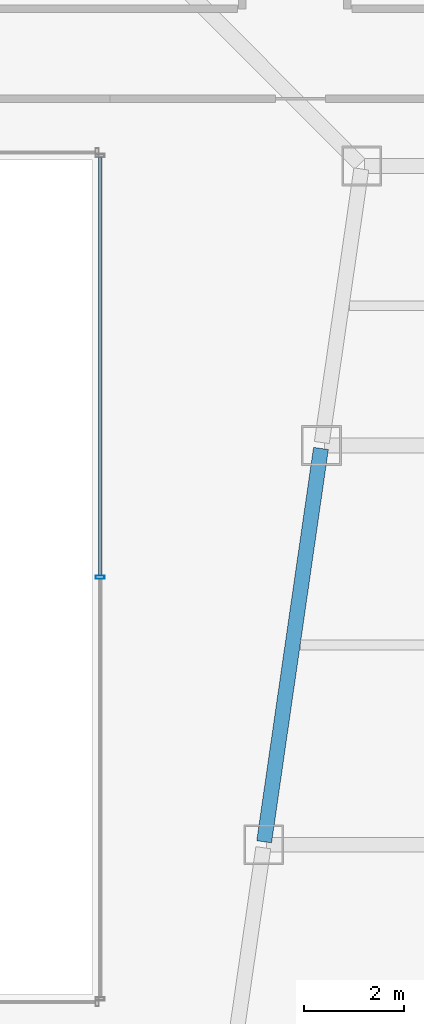
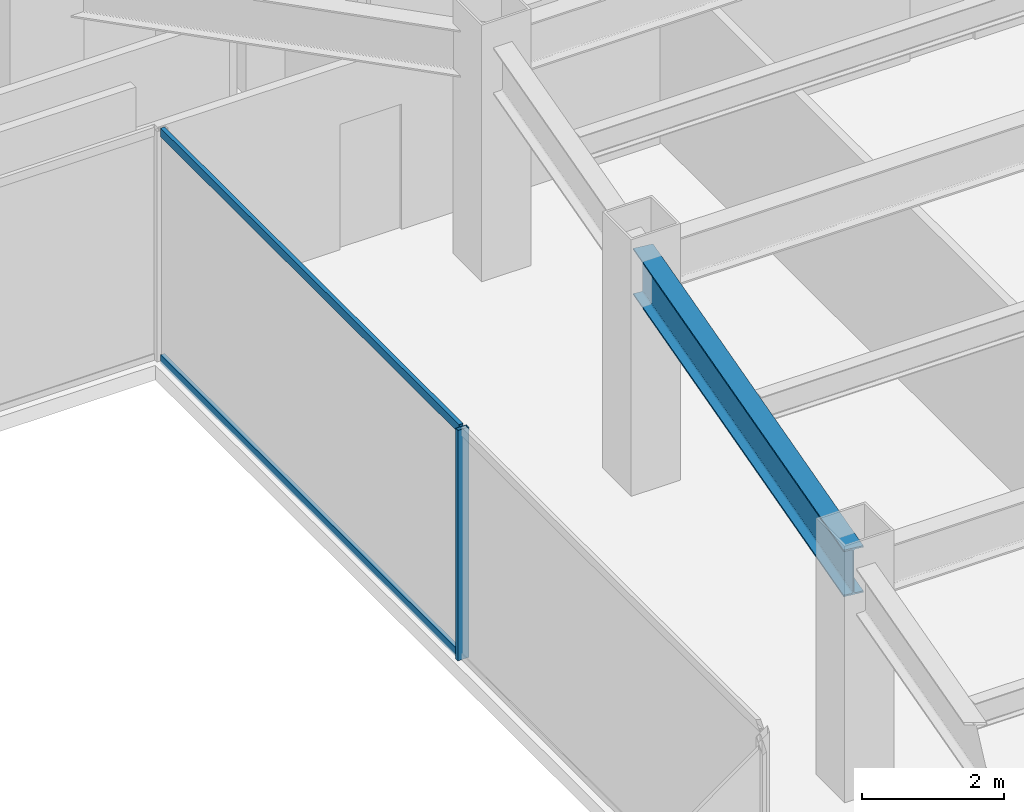
# One storey, part 20 of 47: 3 members, 1 beam, 1 element without a shape of its own.
"""IFC4 building model written with IfcOpenShell, lengths in metres."""

import ifcopenshell
import ifcopenshell.guid

model = None  # the IFC model being written
_history = None  # IfcOwnerHistory: only IFC2X3 demands one
_inside = {}  # id of a spatial element -> (the spatial element, [elements in it])
_under = {}  # id of a project, library or spatial element -> (it, [spatial elements below it])
_declared = {}  # id of a project -> (the project, [libraries it declares])
_typed = {}  # id of a type object -> (the type object, [elements of that type])
_made_of = {}  # id of a material, layer set ... -> (it, [elements and type objects made of it])


def new_model(schema):
    """Start an empty IFC model of exactly this schema.

    Asked for "IFC4X3", IfcOpenShell would pick the latest addendum, in which some entities
    have other attributes; the version numbers below select the first issue.
    IFC2X3 requires an IfcOwnerHistory on every rooted entity: one is made here for all.
    """
    global model, _history
    if schema == "IFC4X3":
        model = ifcopenshell.file(schema_version=(4, 3, 0, 0))
    else:
        model = ifcopenshell.file(schema=schema)
    _inside.clear()
    _under.clear()
    _declared.clear()
    _typed.clear()
    _made_of.clear()
    _history = None
    if model.schema == "IFC2X3":
        org = make("IfcOrganization", Name="unknown")
        user = make(
            "IfcPersonAndOrganization",
            ThePerson=make("IfcPerson", FamilyName="unknown"),
            TheOrganization=org,
        )
        app = make(
            "IfcApplication",
            ApplicationDeveloper=org,
            Version="unknown",
            ApplicationFullName="unknown",
            ApplicationIdentifier="unknown",
        )
        _history = make(
            "IfcOwnerHistory",
            OwningUser=user,
            OwningApplication=app,
            ChangeAction="ADDED",
            CreationDate=0,
        )
    return model


def make(cls, **values):
    """One entity of the class cls with the attributes given. An attribute that is None is left unset."""
    return model.create_entity(
        cls, **{name: value for name, value in values.items() if value is not None}
    )


def rooted(cls, **values):
    """An entity with a GlobalId (a new one), such as an element, a storey or a relation."""
    return make(cls, GlobalId=ifcopenshell.guid.new(), OwnerHistory=_history, **values)


def si_unit(unit_type, name, prefix=None):
    """IfcSIUnit, for example si_unit("LENGTHUNIT", "METRE", prefix="MILLI")."""
    return make("IfcSIUnit", UnitType=unit_type, Prefix=prefix, Name=name)


def assignment(units):
    """IfcUnitAssignment: the units of a project."""
    return None if units is None else make("IfcUnitAssignment", Units=units)


def point(xyz):
    """IfcCartesianPoint."""
    return None if xyz is None else make("IfcCartesianPoint", Coordinates=xyz)


def direction(xyz):
    """IfcDirection."""
    return None if xyz is None else make("IfcDirection", DirectionRatios=xyz)


def frame(location, z_axis=None, x_axis=None):
    """IfcAxis2Placement3D, a coordinate frame: its origin and axes. An axis left out is left unset."""
    return make(
        "IfcAxis2Placement3D",
        Location=point(location),
        Axis=direction(z_axis),
        RefDirection=direction(x_axis),
    )


def frame_2d(location, x_axis=None):
    """IfcAxis2Placement2D, a coordinate frame in the plane: its origin and x axis."""
    return make(
        "IfcAxis2Placement2D", Location=point(location), RefDirection=direction(x_axis)
    )


def origin():
    """The frame at (0, 0, 0) with its axes left unset."""
    return frame((0.0, 0.0, 0.0))


def origin_2d():
    """The frame at (0, 0) in the plane with its x axis left unset."""
    return frame_2d((0.0, 0.0))


def place(relative_to, where):
    """IfcLocalPlacement: puts the frame where relative to a parent placement (None: the world)."""
    return make(
        "IfcLocalPlacement", PlacementRelTo=relative_to, RelativePlacement=where
    )


def context(
    kind, dimensions, precision=None, world=None, true_north=None, identifier=None
):
    """IfcGeometricRepresentationContext, for example the 3D "Model" context."""
    return make(
        "IfcGeometricRepresentationContext",
        ContextIdentifier=identifier,
        ContextType=kind,
        CoordinateSpaceDimension=dimensions,
        Precision=precision,
        WorldCoordinateSystem=world,
        TrueNorth=true_north,
    )


def subcontext(parent, identifier, kind, view, scale=None):
    """IfcGeometricRepresentationSubContext, for example "Body" below "Model"."""
    return make(
        "IfcGeometricRepresentationSubContext",
        ContextIdentifier=identifier,
        ContextType=kind,
        ParentContext=parent,
        TargetScale=scale,
        TargetView=view,
    )


def project(units=None, contexts=None):
    """IfcProject with its units and contexts."""
    return rooted(
        "IfcProject",
        Name="project",
        RepresentationContexts=contexts,
        UnitsInContext=assignment(units),
    )


def spatial(cls, under=None, at=None, **own):
    """A site, building, storey or space (cls), placed at a placement, below another one or the project."""
    s = rooted(cls, ObjectPlacement=at, **own)
    if under is not None:
        _under.setdefault(under.id(), (under, []))[1].append(s)
    return s


def profile(cls, at=None, kind="AREA", **sizes):
    """A parametric profile (cls). Its sizes go by their IFC names, for example OverallWidth=200.0."""
    return make(cls, ProfileType=kind, Position=at, **sizes)


def hollow_rectangle(**sizes):
    """IfcRectangleHollowProfileDef."""
    return profile("IfcRectangleHollowProfileDef", **sizes)


def i_section(**sizes):
    """IfcIShapeProfileDef."""
    return profile("IfcIShapeProfileDef", **sizes)


def extrude(swept, where, along, depth):
    """IfcExtrudedAreaSolid: the profile swept, set in the frame where, extruded along a direction by depth."""
    return make(
        "IfcExtrudedAreaSolid",
        SweptArea=swept,
        Position=where,
        ExtrudedDirection=direction(along),
        Depth=depth,
    )


def shape(context_of_items, identifier, shape_type, items):
    """IfcShapeRepresentation: the items that make up one representation, for example the "Body"."""
    return make(
        "IfcShapeRepresentation",
        ContextOfItems=context_of_items,
        RepresentationIdentifier=identifier,
        RepresentationType=shape_type,
        Items=items,
    )


def material(Name=None, Category=None):
    """IfcMaterial."""
    return make("IfcMaterial", Name=Name, Category=Category)


def material_profile(
    of_material, cross_section, Name=None, Category=None, Priority=None
):
    """IfcMaterialProfile: a cross section and its material."""
    return make(
        "IfcMaterialProfile",
        Name=Name,
        Material=of_material,
        Profile=cross_section,
        Priority=Priority,
        Category=Category,
    )


def profile_set(profiles, Name=None, composite=None):
    """IfcMaterialProfileSet."""
    return make(
        "IfcMaterialProfileSet",
        Name=Name,
        MaterialProfiles=profiles,
        CompositeProfile=composite,
    )


def made_of(thing, what):
    """Note that an element or type object is made of a material, layer set ...; save() writes the relation."""
    if what is not None:
        _made_of.setdefault(what.id(), (what, []))[1].append(thing)
    return thing


def type_object(cls, material=None, **own):
    """A type object (cls), such as IfcWallType, which elements share."""
    return made_of(rooted(cls, **own), material)


def element(
    cls,
    number,
    at=None,
    inside=None,
    cuts=None,
    type_object=None,
    material=None,
    context=None,
    identifier="Body",
    shape_type=None,
    held_by="IfcProductDefinitionShape",
    body=None,
    shapes=None,
    **own,
):
    """One element of the class cls, such as IfcWall. Its Tag is "e" and its number.

    at: its placement. inside: the storey or other place that contains it. cuts: it is an
    opening in that element (IfcRelVoidsElement). A single representation is given by context,
    identifier, shape_type and body (its items); several are given by shapes. held_by: the class
    of the entity that holds the representations. save() writes the other relations.
    """
    e = rooted(cls, Tag="e%d" % number, ObjectPlacement=at, **own)
    if body is not None:
        shapes = [shape(context, identifier, shape_type, body)]
    if shapes is not None:
        e.Representation = make(held_by, Representations=shapes)
    if inside is not None:
        _inside.setdefault(inside.id(), (inside, []))[1].append(e)
    if cuts is not None:
        rooted(
            "IfcRelVoidsElement", RelatingBuildingElement=cuts, RelatedOpeningElement=e
        )
    if type_object is not None:
        _typed.setdefault(type_object.id(), (type_object, []))[1].append(e)
    return made_of(e, material)


def aggregate(whole, parts):
    """IfcRelAggregates: a whole, such as a stair, and the parts it consists of."""
    return rooted("IfcRelAggregates", RelatingObject=whole, RelatedObjects=parts)


def save(model, path):
    """Write the relations noted so far, then the file.

    IfcRelAggregates (storeys below a building ...), IfcRelContainedInSpatialStructure (elements
    in a storey), IfcRelDefinesByType, IfcRelAssociatesMaterial and IfcRelDeclares: one each for
    every whole, place, type object, material and project.
    """
    for whole, parts in _under.values():
        aggregate(whole, parts)
    for where, things in _inside.values():
        rooted(
            "IfcRelContainedInSpatialStructure",
            RelatedElements=things,
            RelatingStructure=where,
        )
    for kind, things in _typed.values():
        rooted("IfcRelDefinesByType", RelatedObjects=things, RelatingType=kind)
    for what, things in _made_of.values():
        rooted("IfcRelAssociatesMaterial", RelatedObjects=things, RelatingMaterial=what)
    for by, libraries in _declared.values():
        rooted("IfcRelDeclares", RelatingContext=by, RelatedDefinitions=libraries)
    model.write(path)


model = new_model("IFC4")

# Units and contexts
model_context = context("Model", 3, precision=1e-05, world=origin(), true_north=direction((0.0, 1.0)))
body_context = subcontext(model_context, "Body", "Model", "MODEL_VIEW")
ifc_project = project(units=[si_unit("LENGTHUNIT", "METRE"), si_unit("AREAUNIT", "SQUARE_METRE"), si_unit("VOLUMEUNIT", "CUBIC_METRE"), si_unit("PLANEANGLEUNIT", "RADIAN"), si_unit("MASSUNIT", "GRAM", prefix="KILO")], contexts=[model_context])

# Site, building, storey
site_placement = place(None, origin())
site = spatial("IfcSite", under=ifc_project, at=site_placement, CompositionType="ELEMENT")
building_placement = place(site_placement, origin())
building = spatial("IfcBuilding", under=site, at=building_placement, Name="Saevonmaru Cultural Tower", CompositionType="ELEMENT")
storey_placement = place(building_placement, frame((0.0, 0.0, 82.39990234375)))
storey = spatial("IfcBuildingStorey", under=building, at=storey_placement, Name="L17", CompositionType="ELEMENT", Elevation=82.39990234375)

# Beam
ifc_material_1 = material(Name="Steel SM420", Category="steel")
ifc_material_profile_1 = material_profile(ifc_material_1, i_section(OverallWidth=0.300048828125, OverallDepth=0.800048828125, WebThickness=0.013916015625, FlangeThickness=0.02587890625, FilletRadius=0.028076171875, at=origin_2d()), Name="H-800x300x14x26")
ifc_profile_set_1 = profile_set([ifc_material_profile_1], Name="Steel SM420")
beam_type = type_object("IfcBeamType", Name="BM-G-H800", PredefinedType="BEAM", material=ifc_profile_set_1)
beam_placement = place(storey_placement, frame((39.236572265625, 24.059326171875, 3.550048828125), z_axis=(0.142902032203, 0.989736838353, 0.0), x_axis=(-0.989736838353, 0.142902032203, 0.0)))
element("IfcBeam", 1, at=beam_placement, inside=storey, type_object=beam_type, Name="L17 East Atrium Girder 4", PredefinedType="BEAM", context=body_context, shape_type="SweptSolid", body=[
    extrude(i_section(OverallWidth=0.300048828125, OverallDepth=0.800048828125, WebThickness=0.013916015625, FlangeThickness=0.02587890625, FilletRadius=0.028076171875, at=origin_2d()), origin(), (0.0, 0.0, 1.0), 7.963134765625),
])

# Curtain wall, members
ifc_material_2 = material(Name="Satin Bronze Anodised Aluminium", Category="aluminium")
curtain_wall_type = type_object("IfcCurtainWallType", Name="CW-ATR-GLZ", PredefinedType="NOTDEFINED", material=ifc_material_2)
curtain_wall_placement = place(storey_placement, origin())
curtain_wall = element("IfcCurtainWall", 2, at=curtain_wall_placement, inside=storey, type_object=curtain_wall_type, Name="L17 Vertical Atrium Glazed Smoke Screen 2", PredefinedType="NOTDEFINED")
ifc_material_profile_2 = material_profile(ifc_material_2, hollow_rectangle(XDim=0.06494140625, YDim=0.179931640625, WallThickness=0.00390625, at=origin_2d()), Name="ALU-MULL-180x65x4")
ifc_profile_set_2 = profile_set([ifc_material_profile_2], Name="Satin Bronze Anodised Aluminium")
member_type_1 = type_object("IfcMemberType", Name="ML-CW-INT-180x65", PredefinedType="MULLION", material=ifc_profile_set_2)
member_1_placement = place(storey_placement, frame((35.949951171875, 29.360107421875, 0.0), z_axis=(0.0, 0.0, 1.0), x_axis=(0.0, 1.0, 0.0)))
member_1 = element("IfcMember", 3, at=member_1_placement, type_object=member_type_1, Name="CW-ATR-L17-2 mullion 2", PredefinedType="MULLION", context=body_context, shape_type="SweptSolid", body=[
    extrude(hollow_rectangle(XDim=0.06494140625, YDim=0.179931640625, WallThickness=0.00390625, at=origin_2d()), origin(), (0.0, 0.0, 1.0), 3.9501953125),
])
ifc_material_profile_3 = material_profile(ifc_material_2, hollow_rectangle(XDim=0.06494140625, YDim=0.14990234375, WallThickness=0.00390625, at=origin_2d()), Name="ALU-TRAN-150x65x4")
ifc_profile_set_3 = profile_set([ifc_material_profile_3], Name="Satin Bronze Anodised Aluminium")
member_type_2 = type_object("IfcMemberType", Name="TR-CW-INT-150x65", PredefinedType="USERDEFINED", material=ifc_profile_set_3)
member_2_placement = place(storey_placement, frame((35.949951171875, 29.392578125, 0.03271484375), z_axis=(0.0, 1.0, 0.0), x_axis=(-1.0, 0.0, 0.0)))
member_2 = element("IfcMember", 4, at=member_2_placement, type_object=member_type_2, Name="CW-ATR-L17-2 transom 2.1", ObjectType="TRANSOM", PredefinedType="USERDEFINED", context=body_context, shape_type="SweptSolid", body=[
    extrude(hollow_rectangle(XDim=0.06494140625, YDim=0.14990234375, WallThickness=0.00390625, at=origin_2d()), origin(), (0.0, 0.0, 1.0), 8.385009765625),
])
member_3_placement = place(storey_placement, frame((35.949951171875, 29.392578125, 3.91748046875), z_axis=(0.0, 1.0, 0.0), x_axis=(-1.0, 0.0, 0.0)))
member_3 = element("IfcMember", 5, at=member_3_placement, type_object=member_type_2, Name="CW-ATR-L17-2 transom 2.2", ObjectType="TRANSOM", PredefinedType="USERDEFINED", context=body_context, shape_type="SweptSolid", body=[
    extrude(hollow_rectangle(XDim=0.06494140625, YDim=0.14990234375, WallThickness=0.00390625, at=origin_2d()), origin(), (0.0, 0.0, 1.0), 8.385009765625),
])
aggregate(curtain_wall, [member_1, member_2, member_3])

save(model, "model.ifc")
